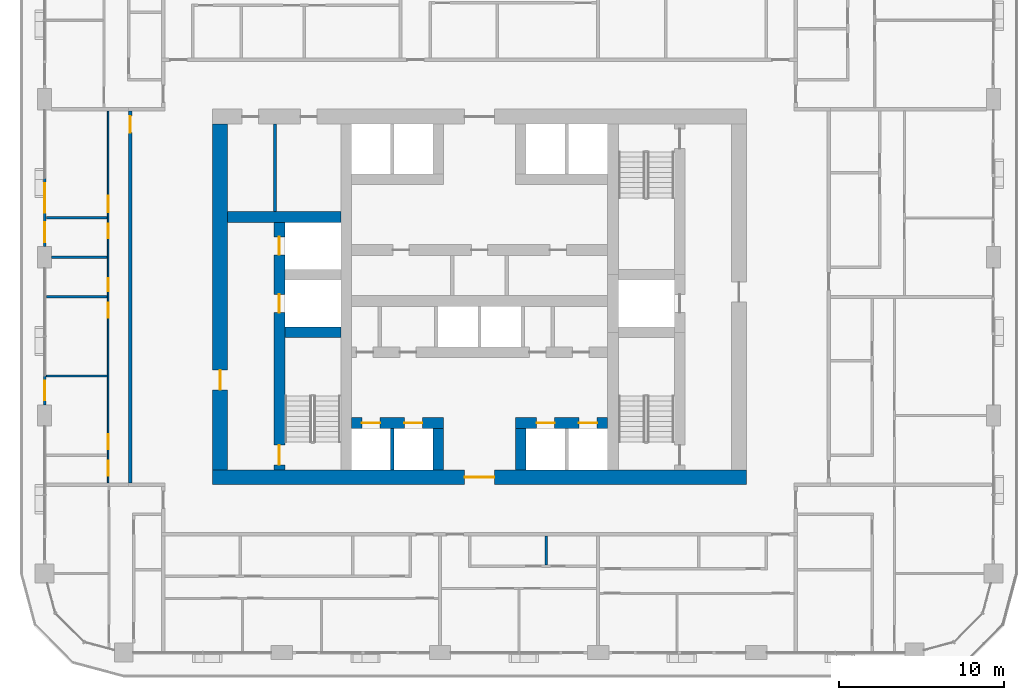
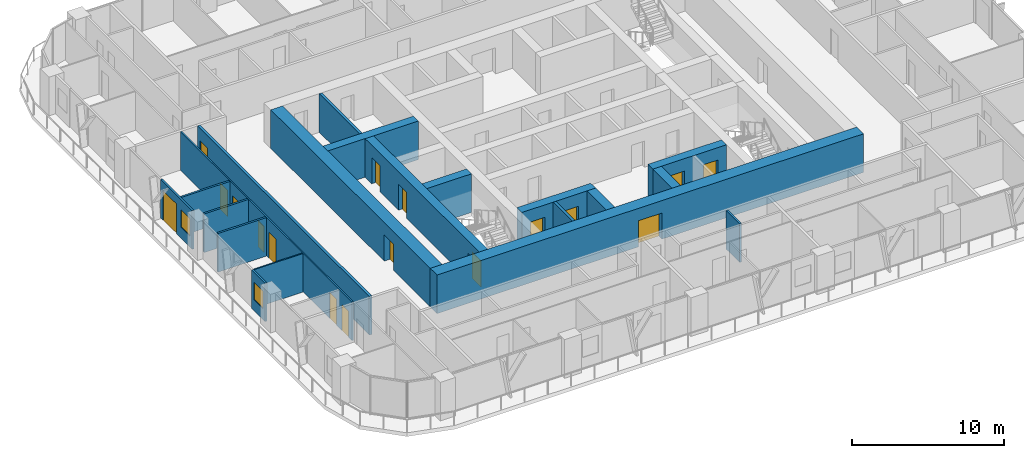
# One storey, part 10 of 21: 20 walls, 17 doors, 2 windows, 19 openings.
"""IFC4 building model written with IfcOpenShell, lengths in metres."""

from ifc_helpers import new_model, si_unit, direction, frame, frame_2d, origin, place, context, subcontext, project, spatial, rectangle, extrude, material, layer, layer_set, type_object, element, fill, save


model = new_model("IFC4")

# Units and contexts
model_context = context("Model", 3, precision=1e-05, world=origin(), true_north=direction((0.0, 1.0)))
body_context = subcontext(model_context, "Body", "Model", "MODEL_VIEW")
ifc_project = project(units=[si_unit("LENGTHUNIT", "METRE"), si_unit("AREAUNIT", "SQUARE_METRE"), si_unit("VOLUMEUNIT", "CUBIC_METRE"), si_unit("PLANEANGLEUNIT", "RADIAN"), si_unit("MASSUNIT", "GRAM", prefix="KILO")], contexts=[model_context])

# Site, building, storey
site_placement = place(None, origin())
site = spatial("IfcSite", under=ifc_project, at=site_placement, CompositionType="ELEMENT")
building_placement = place(site_placement, origin())
building = spatial("IfcBuilding", under=site, at=building_placement, Name="Madar Terraces", CompositionType="ELEMENT")
storey_placement = place(building_placement, frame((0.0, 0.0, 110.199951171875)))
storey = spatial("IfcBuildingStorey", under=building, at=storey_placement, Name="L28", CompositionType="ELEMENT", Elevation=110.199951171875)

# Wall, openings, doors
ifc_material_1 = material(Name="Concrete C80/95", Category="concrete")
ifc_layer_1 = layer(ifc_material_1, 0.64990234375)
ifc_layer_set_1 = layer_set([ifc_layer_1], Name="Concrete C80/95 (CIW2 RC wall 650)")
wall_type_1 = type_object("IfcWallType", Name="CIW2 RC wall 650", PredefinedType="SHEAR", material=ifc_layer_set_1)
wall_1_placement = place(storey_placement, frame((19.050048828125, 15.89990234375, 0.0), z_axis=(0.0, 0.0, 1.0), x_axis=(0.0, 1.0, 0.0)))
wall_1 = element("IfcWall", 1, at=wall_1_placement, inside=storey, type_object=wall_type_1, Name="CORE SHAFT WALL", PredefinedType="SHEAR", context=body_context, shape_type="SweptSolid", body=[
    extrude(rectangle(XDim=15.025146484375, YDim=0.64990234375, at=frame_2d((7.5126953125, 0.0))), origin(), (0.0, 0.0, 1.0), 3.10009765625),
])
opening_1_placement = place(wall_1_placement, frame((9.550048828125, 0.0, 0.0)))
opening_1 = element("IfcOpeningElement", 2, at=opening_1_placement, cuts=wall_1, Name="Opening LD", PredefinedType="OPENING", context=body_context, shape_type="SweptSolid", body=[
    extrude(rectangle(XDim=1.10009765625, YDim=2.10009765625, at=frame_2d((0.550048828125, 1.050048828125))), frame((0.0, 0.3349609375, 0.0), z_axis=(0.0, -1.0, 0.0), x_axis=(1.0, 0.0, 0.0)), (0.0, 0.0, 1.0), 0.669921875),
])
opening_2_placement = place(wall_1_placement, frame((13.050048828125, 0.0, 0.0)))
opening_2 = element("IfcOpeningElement", 3, at=opening_2_placement, cuts=wall_1, Name="Opening LD", PredefinedType="OPENING", context=body_context, shape_type="SweptSolid", body=[
    extrude(rectangle(XDim=1.10009765625, YDim=2.10009765625, at=frame_2d((0.550048828125, 1.050048828125))), frame((0.0, 0.3349609375, 0.0), z_axis=(0.0, -1.0, 0.0), x_axis=(1.0, 0.0, 0.0)), (0.0, 0.0, 1.0), 0.669921875),
])
opening_3_placement = place(wall_1_placement, frame((0.300048828125, 0.0, 0.0)))
opening_3 = element("IfcOpeningElement", 4, at=opening_3_placement, cuts=wall_1, Name="Opening SD1", PredefinedType="OPENING", context=body_context, shape_type="SweptSolid", body=[
    extrude(rectangle(XDim=1.199951171875, YDim=2.10009765625, at=frame_2d((0.60009765625, 1.050048828125))), frame((0.0, 0.3349609375, 0.0), z_axis=(0.0, -1.0, 0.0), x_axis=(1.0, 0.0, 0.0)), (0.0, 0.0, 1.0), 0.669921875),
])
ifc_material_2 = material(Name="Stainless steel panel", Category="steel")
door_type_1 = type_object("IfcDoorType", Name="Lift landing door 1100 x 2100", OperationType="DOUBLE_DOOR_SLIDING", PredefinedType="DOOR", material=ifc_material_2)
door_1_placement = place(opening_1_placement, origin())
door_1 = element("IfcDoor", 5, at=door_1_placement, inside=storey, type_object=door_type_1, Name="LIFT LANDING DOOR", OperationType="DOUBLE_DOOR_SLIDING", OverallHeight=2.10009765625, OverallWidth=1.10009765625, PredefinedType="DOOR", context=body_context, shape_type="SweptSolid", body=[
    extrude(rectangle(XDim=1.10009765625, YDim=2.10009765625, at=frame_2d((0.550048828125, 1.050048828125))), frame((0.0, 0.02490234375, 0.0), z_axis=(0.0, -1.0, 0.0), x_axis=(1.0, 0.0, 0.0)), (0.0, 0.0, 1.0), 0.050048828125),
])
fill(opening_1, door_1)
door_2_placement = place(opening_2_placement, origin())
door_2 = element("IfcDoor", 6, at=door_2_placement, inside=storey, type_object=door_type_1, Name="LIFT LANDING DOOR", OperationType="DOUBLE_DOOR_SLIDING", OverallHeight=2.10009765625, OverallWidth=1.10009765625, PredefinedType="DOOR", context=body_context, shape_type="SweptSolid", body=[
    extrude(rectangle(XDim=1.10009765625, YDim=2.10009765625, at=frame_2d((0.550048828125, 1.050048828125))), frame((0.0, 0.02490234375, 0.0), z_axis=(0.0, -1.0, 0.0), x_axis=(1.0, 0.0, 0.0)), (0.0, 0.0, 1.0), 0.050048828125),
])
fill(opening_2, door_2)
ifc_material_3 = material(Name="Steel door leaf", Category="steel")
door_type_2 = type_object("IfcDoorType", Name="Stair door 1200 x 2100", OperationType="NOTDEFINED", PredefinedType="DOOR", material=ifc_material_3)
door_3_placement = place(opening_3_placement, frame((1.199951171875, 0.0, 0.0), z_axis=(0.0, 0.0, 1.0), x_axis=(-1.0, 0.0, 0.0)))
door_3 = element("IfcDoor", 7, at=door_3_placement, inside=storey, type_object=door_type_2, Name="STAIR DOOR", OperationType="SINGLE_SWING_RIGHT", OverallHeight=2.10009765625, OverallWidth=1.199951171875, PredefinedType="DOOR", context=body_context, shape_type="SweptSolid", body=[
    extrude(rectangle(XDim=1.199951171875, YDim=2.10009765625, at=frame_2d((0.60009765625, 1.050048828125))), frame((0.0, 0.02490234375, 0.0), z_axis=(0.0, -1.0, 0.0), x_axis=(1.0, 0.0, 0.0)), (0.0, 0.0, 1.0), 0.050048828125),
])
fill(opening_3, door_3)

# Walls
wall_2_placement = place(storey_placement, frame((19.375, 24.25, 0.0), z_axis=(0.0, 0.0, 1.0), x_axis=(1.0, 0.0, 0.0)))
element("IfcWall", 8, at=wall_2_placement, inside=storey, type_object=wall_type_1, Name="CORE SHAFT WALL", PredefinedType="SHEAR", context=body_context, shape_type="SweptSolid", body=[
    extrude(rectangle(XDim=3.39990234375, YDim=0.64990234375, at=frame_2d((1.699951171875, 0.0))), origin(), (0.0, 0.0, 1.0), 3.10009765625),
])
wall_3_placement = place(storey_placement, frame((15.89990234375, 31.25, 0.0), z_axis=(0.0, 0.0, 1.0), x_axis=(1.0, 0.0, 0.0)))
element("IfcWall", 9, at=wall_3_placement, inside=storey, type_object=wall_type_1, Name="CORE SHAFT WALL", PredefinedType="SHEAR", context=body_context, shape_type="SweptSolid", body=[
    extrude(rectangle(XDim=6.875, YDim=0.64990234375, at=frame_2d((3.4375, 0.0))), origin(), (0.0, 0.0, 1.0), 3.10009765625),
])

# Wall, openings, doors
wall_4_placement = place(storey_placement, frame((23.425048828125, 18.75, 0.0), z_axis=(0.0, 0.0, 1.0), x_axis=(1.0, 0.0, 0.0)))
wall_4 = element("IfcWall", 10, at=wall_4_placement, inside=storey, type_object=wall_type_1, Name="CORE SHAFT WALL", PredefinedType="SHEAR", context=body_context, shape_type="SweptSolid", body=[
    extrude(rectangle(XDim=5.599853515625, YDim=0.64990234375, at=frame_2d((2.7998046875, 0.0))), origin(), (0.0, 0.0, 1.0), 3.10009765625),
])
opening_4_placement = place(wall_4_placement, frame((0.637451171875, 0.0, 0.0)))
opening_4 = element("IfcOpeningElement", 11, at=opening_4_placement, cuts=wall_4, Name="Opening LD", PredefinedType="OPENING", context=body_context, shape_type="SweptSolid", body=[
    extrude(rectangle(XDim=1.10009765625, YDim=2.10009765625, at=frame_2d((0.550048828125, 1.050048828125))), frame((0.0, 0.3349609375, 0.0), z_axis=(0.0, -1.0, 0.0), x_axis=(1.0, 0.0, 0.0)), (0.0, 0.0, 1.0), 0.669921875),
])
opening_5_placement = place(wall_4_placement, frame((3.21240234375, 0.0, 0.0)))
opening_5 = element("IfcOpeningElement", 12, at=opening_5_placement, cuts=wall_4, Name="Opening LD", PredefinedType="OPENING", context=body_context, shape_type="SweptSolid", body=[
    extrude(rectangle(XDim=1.10009765625, YDim=2.10009765625, at=frame_2d((0.550048828125, 1.050048828125))), frame((0.0, 0.3349609375, 0.0), z_axis=(0.0, -1.0, 0.0), x_axis=(1.0, 0.0, 0.0)), (0.0, 0.0, 1.0), 0.669921875),
])
door_4_placement = place(opening_4_placement, origin())
door_4 = element("IfcDoor", 13, at=door_4_placement, inside=storey, type_object=door_type_1, Name="LIFT LANDING DOOR", OperationType="DOUBLE_DOOR_SLIDING", OverallHeight=2.10009765625, OverallWidth=1.10009765625, PredefinedType="DOOR", context=body_context, shape_type="SweptSolid", body=[
    extrude(rectangle(XDim=1.10009765625, YDim=2.10009765625, at=frame_2d((0.550048828125, 1.050048828125))), frame((0.0, 0.02490234375, 0.0), z_axis=(0.0, -1.0, 0.0), x_axis=(1.0, 0.0, 0.0)), (0.0, 0.0, 1.0), 0.050048828125),
])
fill(opening_4, door_4)
door_5_placement = place(opening_5_placement, origin())
door_5 = element("IfcDoor", 14, at=door_5_placement, inside=storey, type_object=door_type_1, Name="LIFT LANDING DOOR", OperationType="DOUBLE_DOOR_SLIDING", OverallHeight=2.10009765625, OverallWidth=1.10009765625, PredefinedType="DOOR", context=body_context, shape_type="SweptSolid", body=[
    extrude(rectangle(XDim=1.10009765625, YDim=2.10009765625, at=frame_2d((0.550048828125, 1.050048828125))), frame((0.0, 0.02490234375, 0.0), z_axis=(0.0, -1.0, 0.0), x_axis=(1.0, 0.0, 0.0)), (0.0, 0.0, 1.0), 0.050048828125),
])
fill(opening_5, door_5)

wall_5_placement = place(storey_placement, frame((33.375, 18.75, 0.0), z_axis=(0.0, 0.0, 1.0), x_axis=(1.0, 0.0, 0.0)))
wall_5 = element("IfcWall", 15, at=wall_5_placement, inside=storey, type_object=wall_type_1, Name="CORE SHAFT WALL", PredefinedType="SHEAR", context=body_context, shape_type="SweptSolid", body=[
    extrude(rectangle(XDim=5.60009765625, YDim=0.64990234375, at=frame_2d((2.800048828125, 0.0))), origin(), (0.0, 0.0, 1.0), 3.10009765625),
])
opening_6_placement = place(wall_5_placement, frame((1.28759765625, 0.0, 0.0)))
opening_6 = element("IfcOpeningElement", 16, at=opening_6_placement, cuts=wall_5, Name="Opening LD", PredefinedType="OPENING", context=body_context, shape_type="SweptSolid", body=[
    extrude(rectangle(XDim=1.10009765625, YDim=2.10009765625, at=frame_2d((0.550048828125, 1.050048828125))), frame((0.0, 0.3349609375, 0.0), z_axis=(0.0, -1.0, 0.0), x_axis=(1.0, 0.0, 0.0)), (0.0, 0.0, 1.0), 0.669921875),
])
opening_7_placement = place(wall_5_placement, frame((3.862548828125, 0.0, 0.0)))
opening_7 = element("IfcOpeningElement", 17, at=opening_7_placement, cuts=wall_5, Name="Opening LD", PredefinedType="OPENING", context=body_context, shape_type="SweptSolid", body=[
    extrude(rectangle(XDim=1.10009765625, YDim=2.10009765625, at=frame_2d((0.550048828125, 1.050048828125))), frame((0.0, 0.3349609375, 0.0), z_axis=(0.0, -1.0, 0.0), x_axis=(1.0, 0.0, 0.0)), (0.0, 0.0, 1.0), 0.669921875),
])
door_6_placement = place(opening_6_placement, origin())
door_6 = element("IfcDoor", 18, at=door_6_placement, inside=storey, type_object=door_type_1, Name="LIFT LANDING DOOR", OperationType="DOUBLE_DOOR_SLIDING", OverallHeight=2.10009765625, OverallWidth=1.10009765625, PredefinedType="DOOR", context=body_context, shape_type="SweptSolid", body=[
    extrude(rectangle(XDim=1.10009765625, YDim=2.10009765625, at=frame_2d((0.550048828125, 1.050048828125))), frame((0.0, 0.02490234375, 0.0), z_axis=(0.0, -1.0, 0.0), x_axis=(1.0, 0.0, 0.0)), (0.0, 0.0, 1.0), 0.050048828125),
])
fill(opening_6, door_6)
door_7_placement = place(opening_7_placement, origin())
door_7 = element("IfcDoor", 19, at=door_7_placement, inside=storey, type_object=door_type_1, Name="LIFT LANDING DOOR", OperationType="DOUBLE_DOOR_SLIDING", OverallHeight=2.10009765625, OverallWidth=1.10009765625, PredefinedType="DOOR", context=body_context, shape_type="SweptSolid", body=[
    extrude(rectangle(XDim=1.10009765625, YDim=2.10009765625, at=frame_2d((0.550048828125, 1.050048828125))), frame((0.0, 0.02490234375, 0.0), z_axis=(0.0, -1.0, 0.0), x_axis=(1.0, 0.0, 0.0)), (0.0, 0.0, 1.0), 0.050048828125),
])
fill(opening_7, door_7)

# Walls
for number, where, z_axis, x_axis, name in (
    (20, (28.699951171875, 15.89990234375, 0.0), (0.0, 0.0, 1.0), (0.0, 1.0, 0.0), "CORE SHAFT WALL"),
    (21, (33.699951171875, 15.89990234375, 0.0), (0.0, 0.0, 1.0), (0.0, 1.0, 0.0), "CORE SHAFT WALL"),
):
    element("IfcWall", number, at=place(storey_placement, frame(where, z_axis=z_axis, x_axis=x_axis)), inside=storey, type_object=wall_type_1, Name=name, PredefinedType="SHEAR", context=body_context, shape_type="SweptSolid", body=[
        extrude(rectangle(XDim=2.525146484375, YDim=0.64990234375, at=frame_2d((1.2626953125, 0.0))), origin(), (0.0, 0.0, 1.0), 3.10009765625),
    ])

# Wall, opening, door
ifc_material_4 = material(Name="Concrete C80/95", Category="concrete")
ifc_layer_2 = layer(ifc_material_4, 0.89990234375)
ifc_layer_set_2 = layer_set([ifc_layer_2], Name="Concrete C80/95 (CRW2 RC wall 900)")
wall_type_2 = type_object("IfcWallType", Name="CRW2 RC wall 900", PredefinedType="SHEAR", material=ifc_layer_set_2)
wall_6_placement = place(storey_placement, frame((15.0, 15.449951171875, 0.0), z_axis=(0.0, 0.0, 1.0), x_axis=(1.0, 0.0, 0.0)))
wall_6 = element("IfcWall", 22, at=wall_6_placement, inside=storey, type_object=wall_type_2, Name="CORE OUTER WALL", PredefinedType="SHEAR", context=body_context, shape_type="SweptSolid", body=[
    extrude(rectangle(XDim=32.39990234375, YDim=0.89990234375, at=frame_2d((16.199951171875, 0.0))), origin(), (0.0, 0.0, 1.0), 3.10009765625),
])
opening_8_placement = place(wall_6_placement, frame((15.300048828125, 0.0, 0.0)))
opening_8 = element("IfcOpeningElement", 23, at=opening_8_placement, cuts=wall_6, Name="Opening KD1", PredefinedType="OPENING", context=body_context, shape_type="SweptSolid", body=[
    extrude(rectangle(XDim=1.800048828125, YDim=2.10009765625, at=frame_2d((0.89990234375, 1.050048828125))), frame((0.0, 0.4599609375, 0.0), z_axis=(0.0, -1.0, 0.0), x_axis=(1.0, 0.0, 0.0)), (0.0, 0.0, 1.0), 0.919921875),
])
ifc_material_5 = material(Name="Steel door leaf", Category="steel")
door_type_3 = type_object("IfcDoorType", Name="Lobby door pair 1800 x 2100", OperationType="DOUBLE_DOOR_SINGLE_SWING", PredefinedType="DOOR", material=ifc_material_5)
door_8_placement = place(opening_8_placement, frame((1.800048828125, 0.0, 0.0), z_axis=(0.0, 0.0, 1.0), x_axis=(-1.0, 0.0, 0.0)))
door_8 = element("IfcDoor", 24, at=door_8_placement, inside=storey, type_object=door_type_3, Name="LIFT LOBBY DOOR", OperationType="DOUBLE_DOOR_SINGLE_SWING", OverallHeight=2.10009765625, OverallWidth=1.800048828125, PredefinedType="DOOR", context=body_context, shape_type="SweptSolid", body=[
    extrude(rectangle(XDim=1.800048828125, YDim=2.10009765625, at=frame_2d((0.89990234375, 1.050048828125))), frame((0.0, 0.02490234375, 0.0), z_axis=(0.0, -1.0, 0.0), x_axis=(1.0, 0.0, 0.0)), (0.0, 0.0, 1.0), 0.050048828125),
])
fill(opening_8, door_8)

wall_7_placement = place(storey_placement, frame((15.449951171875, 15.89990234375, 0.0), z_axis=(0.0, 0.0, 1.0), x_axis=(0.0, 1.0, 0.0)))
wall_7 = element("IfcWall", 25, at=wall_7_placement, inside=storey, type_object=wall_type_2, Name="CORE OUTER WALL", PredefinedType="SHEAR", context=body_context, shape_type="SweptSolid", body=[
    extrude(rectangle(XDim=21.0, YDim=0.89990234375, at=frame_2d((10.5, 0.0))), origin(), (0.0, 0.0, 1.0), 3.10009765625),
])
opening_9_placement = place(wall_7_placement, frame((4.860107421875, 0.0, 0.0)))
opening_9 = element("IfcOpeningElement", 26, at=opening_9_placement, cuts=wall_7, Name="Opening SD1", PredefinedType="OPENING", context=body_context, shape_type="SweptSolid", body=[
    extrude(rectangle(XDim=1.199951171875, YDim=2.10009765625, at=frame_2d((0.60009765625, 1.050048828125))), frame((0.0, 0.4599609375, 0.0), z_axis=(0.0, -1.0, 0.0), x_axis=(1.0, 0.0, 0.0)), (0.0, 0.0, 1.0), 0.919921875),
])
door_9_placement = place(opening_9_placement, frame((1.199951171875, 0.0, 0.0), z_axis=(0.0, 0.0, 1.0), x_axis=(-1.0, 0.0, 0.0)))
door_9 = element("IfcDoor", 27, at=door_9_placement, inside=storey, type_object=door_type_2, Name="STAIR DOOR", OperationType="SINGLE_SWING_LEFT", OverallHeight=2.10009765625, OverallWidth=1.199951171875, PredefinedType="DOOR", context=body_context, shape_type="SweptSolid", body=[
    extrude(rectangle(XDim=1.199951171875, YDim=2.10009765625, at=frame_2d((0.60009765625, 1.050048828125))), frame((0.0, 0.02490234375, 0.0), z_axis=(0.0, -1.0, 0.0), x_axis=(1.0, 0.0, 0.0)), (0.0, 0.0, 1.0), 0.050048828125),
])
fill(opening_9, door_9)

# Walls
ifc_material_6 = material(Name="Masonry blockwork", Category="masonry")
ifc_layer_3 = layer(ifc_material_6, 0.199951171875)
ifc_layer_set_3 = layer_set([ifc_layer_3], Name="Core partition 200 blockwork")
wall_type_3 = type_object("IfcWallType", Name="Core partition 200 blockwork", PredefinedType="PARTITIONING", material=ifc_layer_set_3)
wall_8_placement = place(storey_placement, frame((18.78759765625, 31.574951171875, 0.0), z_axis=(0.0, 0.0, 1.0), x_axis=(0.0, 1.0, 0.0)))
element("IfcWall", 28, at=wall_8_placement, inside=storey, type_object=wall_type_3, Name="SERVICE ROOM PARTITION", PredefinedType="PARTITIONING", context=body_context, shape_type="SweptSolid", body=[
    extrude(rectangle(XDim=5.324951171875, YDim=0.199951171875, at=frame_2d((2.66259765625, 0.0))), origin(), (0.0, 0.0, 1.0), 3.10009765625),
])
ifc_material_7 = material(Name="Concrete C40/50", Category="concrete")
ifc_layer_4 = layer(ifc_material_7, 0.199951171875)
ifc_layer_set_4 = layer_set([ifc_layer_4], Name="Core shaft dividing wall 200 C40/50")
wall_type_4 = type_object("IfcWallType", Name="Core shaft dividing wall 200 C40/50", PredefinedType="SOLIDWALL", material=ifc_layer_set_4)
wall_9_placement = place(storey_placement, frame((25.89990234375, 15.89990234375, 0.0), z_axis=(0.0, 0.0, 1.0), x_axis=(0.0, 1.0, 0.0)))
element("IfcWall", 29, at=wall_9_placement, inside=storey, type_object=wall_type_4, Name="SHAFT DIVIDING WALL", PredefinedType="SOLIDWALL", context=body_context, shape_type="SweptSolid", body=[
    extrude(rectangle(XDim=2.525146484375, YDim=0.199951171875, at=frame_2d((1.2626953125, 0.0))), origin(), (0.0, 0.0, 1.0), 3.10009765625),
])

# Wall, openings, door, window
ifc_material_8 = material(Name="Aluminium composite panel, black, over insulated backing", Category="aluminium")
ifc_layer_5 = layer(ifc_material_8, 0.14990234375)
ifc_layer_set_5 = layer_set([ifc_layer_5], Name="Facade bay panel 150")
wall_type_5 = type_object("IfcWallType", Name="Facade bay panel 150", PredefinedType="SOLIDWALL", material=ifc_layer_set_5)
wall_10_placement = place(storey_placement, frame((4.800048828125, 33.60009765625, 0.0), z_axis=(0.0, 0.0, 1.0), x_axis=(0.0, -1.0, 0.0)))
wall_10 = element("IfcWall", 30, at=wall_10_placement, inside=storey, type_object=wall_type_5, Name="Facade bay panel", PredefinedType="SOLIDWALL", context=body_context, shape_type="SweptSolid", body=[
    extrude(rectangle(XDim=4.150146484375, YDim=0.14990234375, at=frame_2d((2.0751953125, 0.0))), origin(), (0.0, 0.0, 1.0), 3.10009765625),
])
opening_10_placement = place(wall_10_placement, frame((0.300048828125, 0.0, 0.0)))
opening_10 = element("IfcOpeningElement", 31, at=opening_10_placement, cuts=wall_10, Name="Opening ED1", PredefinedType="OPENING", context=body_context, shape_type="SweptSolid", body=[
    extrude(rectangle(XDim=1.800048828125, YDim=2.39990234375, at=frame_2d((0.89990234375, 1.199951171875))), frame((0.0, 0.0849609375, 0.0), z_axis=(0.0, -1.0, 0.0), x_axis=(1.0, 0.0, 0.0)), (0.0, 0.0, 1.0), 0.169921875),
])
opening_11_placement = place(wall_10_placement, frame((2.675048828125, 0.0, 0.89990234375)))
opening_11 = element("IfcOpeningElement", 32, at=opening_11_placement, cuts=wall_10, Name="Opening W1", PredefinedType="OPENING", context=body_context, shape_type="SweptSolid", body=[
    extrude(rectangle(XDim=1.199951171875, YDim=1.39990234375, at=frame_2d((0.60009765625, 0.699951171875))), frame((0.0, 0.0849609375, 0.0), z_axis=(0.0, -1.0, 0.0), x_axis=(1.0, 0.0, 0.0)), (0.0, 0.0, 1.0), 0.169921875),
])
ifc_material_9 = material(Name="Glass, clear, with black aluminium frame", Category="aluminium")
door_type_4 = type_object("IfcDoorType", Name="Balcony and terrace sliding door 1800 x 2400", OperationType="SLIDING_TO_LEFT", PredefinedType="DOOR", material=ifc_material_9)
door_10_placement = place(opening_10_placement, origin())
door_10 = element("IfcDoor", 33, at=door_10_placement, inside=storey, type_object=door_type_4, Name="Balcony door", OperationType="SLIDING_TO_RIGHT", OverallHeight=2.39990234375, OverallWidth=1.800048828125, PredefinedType="DOOR", context=body_context, shape_type="SweptSolid", body=[
    extrude(rectangle(XDim=1.800048828125, YDim=2.39990234375, at=frame_2d((0.89990234375, 1.199951171875))), frame((0.0, 0.02490234375, 0.0), z_axis=(0.0, -1.0, 0.0), x_axis=(1.0, 0.0, 0.0)), (0.0, 0.0, 1.0), 0.050048828125),
])
fill(opening_10, door_10)
ifc_material_10 = material(Name="Glass, clear, with black aluminium frame", Category="aluminium")
window_type = type_object("IfcWindowType", Name="Vent window 1200 x 1400", PartitioningType="SINGLE_PANEL", PredefinedType="WINDOW", material=ifc_material_10)
window_1_placement = place(opening_11_placement, origin())
window_1 = element("IfcWindow", 34, at=window_1_placement, inside=storey, type_object=window_type, Name="Operable vent window", OverallHeight=1.39990234375, OverallWidth=1.199951171875, PartitioningType="SINGLE_PANEL", PredefinedType="WINDOW", context=body_context, shape_type="SweptSolid", body=[
    extrude(rectangle(XDim=1.199951171875, YDim=1.39990234375, at=frame_2d((0.60009765625, 0.699951171875))), frame((0.0, 0.030029296875, 0.0), z_axis=(0.0, -1.0, 0.0), x_axis=(1.0, 0.0, 0.0)), (0.0, 0.0, 1.0), 0.06005859375),
])
fill(opening_11, window_1)

# Wall, opening, window
wall_11_placement = place(storey_placement, frame((4.800048828125, 21.60009765625, 0.0), z_axis=(0.0, 0.0, 1.0), x_axis=(0.0, -1.0, 0.0)))
wall_11 = element("IfcWall", 35, at=wall_11_placement, inside=storey, type_object=wall_type_5, Name="Facade bay panel", PredefinedType="SOLIDWALL", context=body_context, shape_type="SweptSolid", body=[
    extrude(rectangle(XDim=1.75, YDim=0.14990234375, at=frame_2d((0.875, 0.0))), origin(), (0.0, 0.0, 1.0), 3.10009765625),
])
opening_12_placement = place(wall_11_placement, frame((0.27490234375, 0.0, 0.89990234375)))
opening_12 = element("IfcOpeningElement", 36, at=opening_12_placement, cuts=wall_11, Name="Opening W1", PredefinedType="OPENING", context=body_context, shape_type="SweptSolid", body=[
    extrude(rectangle(XDim=1.199951171875, YDim=1.39990234375, at=frame_2d((0.60009765625, 0.699951171875))), frame((0.0, 0.0849609375, 0.0), z_axis=(0.0, -1.0, 0.0), x_axis=(1.0, 0.0, 0.0)), (0.0, 0.0, 1.0), 0.169921875),
])
window_2_placement = place(opening_12_placement, origin())
window_2 = element("IfcWindow", 37, at=window_2_placement, inside=storey, type_object=window_type, Name="Operable vent window", OverallHeight=1.39990234375, OverallWidth=1.199951171875, PartitioningType="SINGLE_PANEL", PredefinedType="WINDOW", context=body_context, shape_type="SweptSolid", body=[
    extrude(rectangle(XDim=1.199951171875, YDim=1.39990234375, at=frame_2d((0.60009765625, 0.699951171875))), frame((0.0, 0.030029296875, 0.0), z_axis=(0.0, -1.0, 0.0), x_axis=(1.0, 0.0, 0.0)), (0.0, 0.0, 1.0), 0.06005859375),
])
fill(opening_12, window_2)

# Wall
ifc_material_11 = material(Name="Gypsum board on steel studs", Category="steel")
ifc_layer_6 = layer(ifc_material_11, 0.10009765625)
ifc_layer_set_6 = layer_set([ifc_layer_6], Name="Flat partition 100")
wall_type_6 = type_object("IfcWallType", Name="Flat partition 100", PredefinedType="PARTITIONING", material=ifc_layer_set_6)
wall_12_placement = place(storey_placement, frame((8.60009765625, 21.60009765625, 0.0), z_axis=(0.0, 0.0, 1.0), x_axis=(-1.0, 0.0, 0.0)))
element("IfcWall", 38, at=wall_12_placement, inside=storey, type_object=wall_type_6, Name="Flat partition 100", PredefinedType="PARTITIONING", context=body_context, shape_type="SweptSolid", body=[
    extrude(rectangle(XDim=3.7001953125, YDim=0.10009765625, at=frame_2d((1.85009765625, 0.0))), origin(), (0.0, 0.0, 1.0), 3.10009765625),
])

# Wall, openings, doors
wall_13_placement = place(storey_placement, frame((8.64990234375, 15.10009765625, 0.0), z_axis=(0.0, 0.0, 1.0), x_axis=(0.0, 1.0, 0.0)))
wall_13 = element("IfcWall", 39, at=wall_13_placement, inside=storey, type_object=wall_type_6, Name="Flat partition 100", PredefinedType="PARTITIONING", context=body_context, shape_type="SweptSolid", body=[
    extrude(rectangle(XDim=22.599853515625, YDim=0.10009765625, at=frame_2d((11.2998046875, 0.0))), origin(), (0.0, 0.0, 1.0), 3.10009765625),
])
opening_13_placement = place(wall_13_placement, frame((16.449951171875, 0.0, 0.0)))
opening_13 = element("IfcOpeningElement", 40, at=opening_13_placement, cuts=wall_13, Name="Opening D3", PredefinedType="OPENING", context=body_context, shape_type="SweptSolid", body=[
    extrude(rectangle(XDim=1.0, YDim=2.10009765625, at=frame_2d((0.5, 1.050048828125))), frame((0.0, 0.06005859375, 0.0), z_axis=(0.0, -1.0, 0.0), x_axis=(1.0, 0.0, 0.0)), (0.0, 0.0, 1.0), 0.1201171875),
])
opening_14_placement = place(wall_13_placement, frame((14.85009765625, 0.0, 0.0)))
opening_14 = element("IfcOpeningElement", 41, at=opening_14_placement, cuts=wall_13, Name="Opening D2", PredefinedType="OPENING", context=body_context, shape_type="SweptSolid", body=[
    extrude(rectangle(XDim=0.89990234375, YDim=2.10009765625, at=frame_2d((0.449951171875, 1.050048828125))), frame((0.0, 0.06005859375, 0.0), z_axis=(0.0, -1.0, 0.0), x_axis=(1.0, 0.0, 0.0)), (0.0, 0.0, 1.0), 0.1201171875),
])
opening_15_placement = place(wall_13_placement, frame((11.64990234375, 0.0, 0.0)))
opening_15 = element("IfcOpeningElement", 42, at=opening_15_placement, cuts=wall_13, Name="Opening D4", PredefinedType="OPENING", context=body_context, shape_type="SweptSolid", body=[
    extrude(rectangle(XDim=0.800048828125, YDim=2.10009765625, at=frame_2d((0.39990234375, 1.050048828125))), frame((0.0, 0.06005859375, 0.0), z_axis=(0.0, -1.0, 0.0), x_axis=(1.0, 0.0, 0.0)), (0.0, 0.0, 1.0), 0.1201171875),
])
opening_16_placement = place(wall_13_placement, frame((10.050048828125, 0.0, 0.0)))
opening_16 = element("IfcOpeningElement", 43, at=opening_16_placement, cuts=wall_13, Name="Opening D2", PredefinedType="OPENING", context=body_context, shape_type="SweptSolid", body=[
    extrude(rectangle(XDim=0.89990234375, YDim=2.10009765625, at=frame_2d((0.449951171875, 1.050048828125))), frame((0.0, 0.06005859375, 0.0), z_axis=(0.0, -1.0, 0.0), x_axis=(1.0, 0.0, 0.0)), (0.0, 0.0, 1.0), 0.1201171875),
])
opening_17_placement = place(wall_13_placement, frame((2.050048828125, 0.0, 0.0)))
opening_17 = element("IfcOpeningElement", 44, at=opening_17_placement, cuts=wall_13, Name="Opening D2", PredefinedType="OPENING", context=body_context, shape_type="SweptSolid", body=[
    extrude(rectangle(XDim=0.89990234375, YDim=2.10009765625, at=frame_2d((0.449951171875, 1.050048828125))), frame((0.0, 0.06005859375, 0.0), z_axis=(0.0, -1.0, 0.0), x_axis=(1.0, 0.0, 0.0)), (0.0, 0.0, 1.0), 0.1201171875),
])
opening_18_placement = place(wall_13_placement, frame((0.449951171875, 0.0, 0.0)))
opening_18 = element("IfcOpeningElement", 45, at=opening_18_placement, cuts=wall_13, Name="Opening D5", PredefinedType="OPENING", context=body_context, shape_type="SweptSolid", body=[
    extrude(rectangle(XDim=0.89990234375, YDim=2.10009765625, at=frame_2d((0.449951171875, 1.050048828125))), frame((0.0, 0.06005859375, 0.0), z_axis=(0.0, -1.0, 0.0), x_axis=(1.0, 0.0, 0.0)), (0.0, 0.0, 1.0), 0.1201171875),
])
ifc_material_12 = material(Name="Timber door leaf", Category="wood")
door_type_5 = type_object("IfcDoorType", Name="Flat accessible bathroom door 900", OperationType="NOTDEFINED", PredefinedType="DOOR", material=ifc_material_12)
door_11_placement = place(opening_18_placement, origin())
door_11 = element("IfcDoor", 46, at=door_11_placement, inside=storey, type_object=door_type_5, Name="Flat accessible bathroom door 900", OperationType="SINGLE_SWING_RIGHT", OverallHeight=2.10009765625, OverallWidth=0.89990234375, PredefinedType="DOOR", context=body_context, shape_type="SweptSolid", body=[
    extrude(rectangle(XDim=0.89990234375, YDim=2.10009765625, at=frame_2d((0.449951171875, 1.050048828125))), frame((0.0, 0.02490234375, 0.0), z_axis=(0.0, -1.0, 0.0), x_axis=(1.0, 0.0, 0.0)), (0.0, 0.0, 1.0), 0.050048828125),
])
fill(opening_18, door_11)
ifc_material_13 = material(Name="Timber door leaf", Category="wood")
door_type_6 = type_object("IfcDoorType", Name="Flat bathroom door 800", OperationType="NOTDEFINED", PredefinedType="DOOR", material=ifc_material_13)
door_12_placement = place(opening_15_placement, origin())
door_12 = element("IfcDoor", 47, at=door_12_placement, inside=storey, type_object=door_type_6, Name="Flat bathroom door 800", OperationType="SINGLE_SWING_LEFT", OverallHeight=2.10009765625, OverallWidth=0.800048828125, PredefinedType="DOOR", context=body_context, shape_type="SweptSolid", body=[
    extrude(rectangle(XDim=0.800048828125, YDim=2.10009765625, at=frame_2d((0.39990234375, 1.050048828125))), frame((0.0, 0.02490234375, 0.0), z_axis=(0.0, -1.0, 0.0), x_axis=(1.0, 0.0, 0.0)), (0.0, 0.0, 1.0), 0.050048828125),
])
fill(opening_15, door_12)
ifc_material_14 = material(Name="Timber door leaf", Category="wood")
door_type_7 = type_object("IfcDoorType", Name="Flat living room door 1000", OperationType="NOTDEFINED", PredefinedType="DOOR", material=ifc_material_14)
door_13_placement = place(opening_13_placement, origin())
door_13 = element("IfcDoor", 48, at=door_13_placement, inside=storey, type_object=door_type_7, Name="Flat living room door 1000", OperationType="SINGLE_SWING_LEFT", OverallHeight=2.10009765625, OverallWidth=1.0, PredefinedType="DOOR", context=body_context, shape_type="SweptSolid", body=[
    extrude(rectangle(XDim=1.0, YDim=2.10009765625, at=frame_2d((0.5, 1.050048828125))), frame((0.0, 0.02490234375, 0.0), z_axis=(0.0, -1.0, 0.0), x_axis=(1.0, 0.0, 0.0)), (0.0, 0.0, 1.0), 0.050048828125),
])
fill(opening_13, door_13)
ifc_material_15 = material(Name="Timber door leaf", Category="wood")
door_type_8 = type_object("IfcDoorType", Name="Flat room door 900", OperationType="NOTDEFINED", PredefinedType="DOOR", material=ifc_material_15)
door_14_placement = place(opening_14_placement, origin())
door_14 = element("IfcDoor", 49, at=door_14_placement, inside=storey, type_object=door_type_8, Name="Flat room door 900", OperationType="SINGLE_SWING_RIGHT", OverallHeight=2.10009765625, OverallWidth=0.89990234375, PredefinedType="DOOR", context=body_context, shape_type="SweptSolid", body=[
    extrude(rectangle(XDim=0.89990234375, YDim=2.10009765625, at=frame_2d((0.449951171875, 1.050048828125))), frame((0.0, 0.02490234375, 0.0), z_axis=(0.0, -1.0, 0.0), x_axis=(1.0, 0.0, 0.0)), (0.0, 0.0, 1.0), 0.050048828125),
])
fill(opening_14, door_14)
door_15_placement = place(opening_16_placement, origin())
door_15 = element("IfcDoor", 50, at=door_15_placement, inside=storey, type_object=door_type_8, Name="Flat room door 900", OperationType="SINGLE_SWING_RIGHT", OverallHeight=2.10009765625, OverallWidth=0.89990234375, PredefinedType="DOOR", context=body_context, shape_type="SweptSolid", body=[
    extrude(rectangle(XDim=0.89990234375, YDim=2.10009765625, at=frame_2d((0.449951171875, 1.050048828125))), frame((0.0, 0.02490234375, 0.0), z_axis=(0.0, -1.0, 0.0), x_axis=(1.0, 0.0, 0.0)), (0.0, 0.0, 1.0), 0.050048828125),
])
fill(opening_16, door_15)
door_16_placement = place(opening_17_placement, origin())
door_16 = element("IfcDoor", 51, at=door_16_placement, inside=storey, type_object=door_type_8, Name="Flat room door 900", OperationType="SINGLE_SWING_LEFT", OverallHeight=2.10009765625, OverallWidth=0.89990234375, PredefinedType="DOOR", context=body_context, shape_type="SweptSolid", body=[
    extrude(rectangle(XDim=0.89990234375, YDim=2.10009765625, at=frame_2d((0.449951171875, 1.050048828125))), frame((0.0, 0.02490234375, 0.0), z_axis=(0.0, -1.0, 0.0), x_axis=(1.0, 0.0, 0.0)), (0.0, 0.0, 1.0), 0.050048828125),
])
fill(opening_17, door_16)

# Wall, opening, door
ifc_material_16 = material(Name="Lightweight blockwork", Category="masonry")
ifc_layer_7 = layer(ifc_material_16, 0.199951171875)
ifc_layer_set_7 = layer_set([ifc_layer_7], Name="Flat party and entrance wall 200")
wall_type_7 = type_object("IfcWallType", Name="Flat party and entrance wall 200", PredefinedType="PARTITIONING", material=ifc_layer_set_7)
wall_14_placement = place(storey_placement, frame((10.0, 15.10009765625, 0.0), z_axis=(0.0, 0.0, 1.0), x_axis=(0.0, 1.0, 0.0)))
wall_14 = element("IfcWall", 52, at=wall_14_placement, inside=storey, type_object=wall_type_7, Name="Flat party and entrance wall 200", PredefinedType="PARTITIONING", context=body_context, shape_type="SweptSolid", body=[
    extrude(rectangle(XDim=22.599853515625, YDim=0.199951171875, at=frame_2d((11.2998046875, 0.0))), origin(), (0.0, 0.0, 1.0), 3.10009765625),
])
opening_19_placement = place(wall_14_placement, frame((21.27490234375, 0.0, 0.0)))
opening_19 = element("IfcOpeningElement", 53, at=opening_19_placement, cuts=wall_14, Name="Opening D1", PredefinedType="OPENING", context=body_context, shape_type="SweptSolid", body=[
    extrude(rectangle(XDim=1.0, YDim=2.10009765625, at=frame_2d((0.5, 1.050048828125))), frame((0.0, 0.10986328125, 0.0), z_axis=(0.0, -1.0, 0.0), x_axis=(1.0, 0.0, 0.0)), (0.0, 0.0, 1.0), 0.219970703125),
])
ifc_material_17 = material(Name="Timber fire door leaf", Category="wood")
door_type_9 = type_object("IfcDoorType", Name="Flat entrance door 1000 FD30S", OperationType="NOTDEFINED", PredefinedType="DOOR", material=ifc_material_17)
door_17_placement = place(opening_19_placement, origin())
door_17 = element("IfcDoor", 54, at=door_17_placement, inside=storey, type_object=door_type_9, Name="Flat entrance door 1000 FD30S", OperationType="SINGLE_SWING_RIGHT", OverallHeight=2.10009765625, OverallWidth=1.0, PredefinedType="DOOR", context=body_context, shape_type="SweptSolid", body=[
    extrude(rectangle(XDim=1.0, YDim=2.10009765625, at=frame_2d((0.5, 1.050048828125))), frame((0.0, 0.02490234375, 0.0), z_axis=(0.0, -1.0, 0.0), x_axis=(1.0, 0.0, 0.0)), (0.0, 0.0, 1.0), 0.050048828125),
])
fill(opening_19, door_17)

# Walls
ifc_material_18 = material(Name="Lightweight blockwork", Category="masonry")
ifc_layer_8 = layer(ifc_material_18, 0.14990234375)
ifc_layer_set_8 = layer_set([ifc_layer_8], Name="Flat wet-room partition 150")
wall_type_8 = type_object("IfcWallType", Name="Flat wet-room partition 150", PredefinedType="PARTITIONING", material=ifc_layer_set_8)
wall_15_placement = place(storey_placement, frame((35.25, 11.89990234375, 0.0), z_axis=(0.0, 0.0, 1.0), x_axis=(0.0, -1.0, 0.0)))
element("IfcWall", 55, at=wall_15_placement, inside=storey, type_object=wall_type_8, Name="Flat wet-room partition 150", PredefinedType="PARTITIONING", context=body_context, shape_type="SweptSolid", body=[
    extrude(rectangle(XDim=1.77490234375, YDim=0.14990234375, at=frame_2d((0.887451171875, 0.0))), origin(), (0.0, 0.0, 1.0), 3.10009765625),
])
wall_16_placement = place(storey_placement, frame((8.574951171875, 31.199951171875, 0.0), z_axis=(0.0, 0.0, 1.0), x_axis=(-1.0, 0.0, 0.0)))
element("IfcWall", 56, at=wall_16_placement, inside=storey, type_object=wall_type_8, Name="Flat wet-room partition 150", PredefinedType="PARTITIONING", context=body_context, shape_type="SweptSolid", body=[
    extrude(rectangle(XDim=3.675048828125, YDim=0.14990234375, at=frame_2d((1.83740234375, 0.0))), origin(), (0.0, 0.0, 1.0), 3.10009765625),
])
wall_17_placement = place(storey_placement, frame((8.574951171875, 28.800048828125, 0.0), z_axis=(0.0, 0.0, 1.0), x_axis=(-1.0, 0.0, 0.0)))
element("IfcWall", 57, at=wall_17_placement, inside=storey, type_object=wall_type_8, Name="Flat wet-room partition 150", PredefinedType="PARTITIONING", context=body_context, shape_type="SweptSolid", body=[
    extrude(rectangle(XDim=3.349853515625, YDim=0.14990234375, at=frame_2d((1.6748046875, 0.0))), origin(), (0.0, 0.0, 1.0), 3.10009765625),
])
wall_18_placement = place(storey_placement, frame((8.574951171875, 26.39990234375, 0.0), z_axis=(0.0, 0.0, 1.0), x_axis=(-1.0, 0.0, 0.0)))
element("IfcWall", 58, at=wall_18_placement, inside=storey, type_object=wall_type_8, Name="Flat wet-room partition 150", PredefinedType="PARTITIONING", context=body_context, shape_type="SweptSolid", body=[
    extrude(rectangle(XDim=3.675048828125, YDim=0.14990234375, at=frame_2d((1.83740234375, 0.0))), origin(), (0.0, 0.0, 1.0), 3.10009765625),
])

save(model, "model.ifc")
